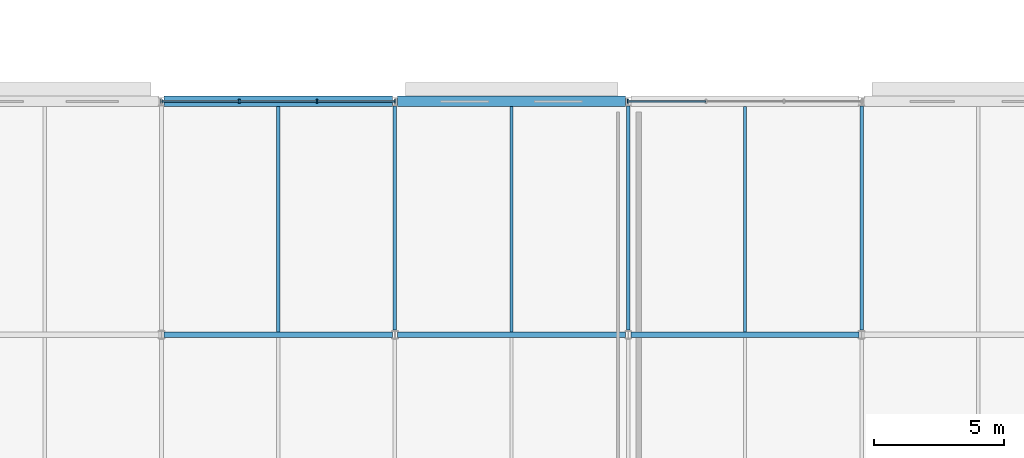
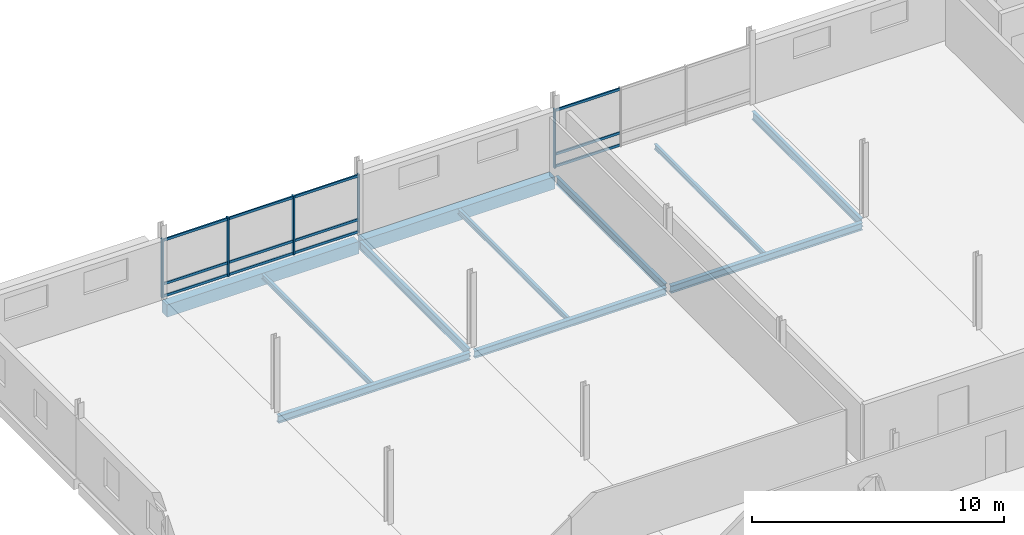
# One storey, part 83 of 132: 17 members, 11 beams, 2 elements without a shape of their own.
"""IFC4 building model written with IfcOpenShell, lengths in metres."""

from ifc_helpers import new_model, si_unit, direction, frame, origin, origin_2d, place, context, subcontext, project, spatial, rectangle, i_section, extrude, material, material_profile, profile_set, type_object, element, aggregate, save


model = new_model("IFC4")

# Units and contexts
model_context = context("Model", 3, precision=1e-05, world=origin(), true_north=direction((0.0, 1.0)))
body_context = subcontext(model_context, "Body", "Model", "MODEL_VIEW")
ifc_project = project(units=[si_unit("LENGTHUNIT", "METRE"), si_unit("AREAUNIT", "SQUARE_METRE"), si_unit("VOLUMEUNIT", "CUBIC_METRE"), si_unit("PLANEANGLEUNIT", "RADIAN"), si_unit("MASSUNIT", "GRAM", prefix="KILO")], contexts=[model_context])

# Site, building, storey
site_placement = place(None, origin())
site = spatial("IfcSite", under=ifc_project, at=site_placement, CompositionType="ELEMENT")
building_placement = place(site_placement, origin())
building = spatial("IfcBuilding", under=site, at=building_placement, Name="Tharagai Park Tramway Depot", CompositionType="ELEMENT")
storey_placement = place(building_placement, frame((0.0, 0.0, 4.800048828125)))
storey = spatial("IfcBuildingStorey", under=building, at=storey_placement, Name="L01", CompositionType="ELEMENT", Elevation=4.800048828125)

# Beams
ifc_material_1 = material(Name="Steel E350", Category="steel")
ifc_material_profile_1 = material_profile(ifc_material_1, i_section(OverallWidth=0.139892578125, OverallDepth=0.39990234375, WebThickness=0.0087890625, FlangeThickness=0.01611328125, FilletRadius=0.013916015625, at=origin_2d()), Name="ISMB 400")
ifc_profile_set_1 = profile_set([ifc_material_profile_1], Name="Steel E350")
beam_type_1 = type_object("IfcBeamType", Name="BM-06", PredefinedType="BEAM", material=ifc_profile_set_1)
for number, where, z_axis, x_axis, name in (
    (1, (180.0, 126.175048828125, -0.47998046875), (0.0, 1.0, 0.0), (-1.0, 0.0, 0.0), "L01 Grid Beam BM-06"),
    (2, (189.0, 126.175048828125, -0.47998046875), (0.0, 1.0, 0.0), (-1.0, 0.0, 0.0), "L01 Grid Beam BM-06"),
    (3, (198.0, 126.175048828125, -0.47998046875), (0.0, 1.0, 0.0), (-1.0, 0.0, 0.0), "L01 Grid Beam BM-06"),
):
    element("IfcBeam", number, at=place(storey_placement, frame(where, z_axis=z_axis, x_axis=x_axis)), inside=storey, type_object=beam_type_1, Name=name, PredefinedType="BEAM", context=body_context, shape_type="SweptSolid", body=[
        extrude(i_section(OverallWidth=0.139892578125, OverallDepth=0.39990234375, WebThickness=0.0087890625, FlangeThickness=0.01611328125, FilletRadius=0.013916015625, at=origin_2d()), origin(), (0.0, 0.0, 1.0), 8.64990234375),
    ])
ifc_material_profile_2 = material_profile(ifc_material_1, i_section(OverallWidth=0.199951171875, OverallDepth=0.35009765625, WebThickness=0.008056640625, FlangeThickness=0.011474609375, FilletRadius=0.011962890625, at=origin_2d()), Name="ISWB 350")
ifc_profile_set_2 = profile_set([ifc_material_profile_2], Name="Steel E350")
beam_type_2 = type_object("IfcBeamType", Name="BM-15", PredefinedType="BEAM", material=ifc_profile_set_2)
for number, where, z_axis, x_axis, name in (
    (4, (171.10009765625, 126.0, -0.455078125), (1.0, 0.0, 0.0), (0.0, 1.0, 0.0), "L01 Grid Beam BM-15"),
    (5, (180.10009765625, 126.0, -0.455078125), (1.0, 0.0, 0.0), (0.0, 1.0, 0.0), "L01 Grid Beam BM-15"),
    (6, (189.10009765625, 126.0, -0.455078125), (1.0, 0.0, 0.0), (0.0, 1.0, 0.0), "L01 Grid Beam BM-15"),
):
    element("IfcBeam", number, at=place(storey_placement, frame(where, z_axis=z_axis, x_axis=x_axis)), inside=storey, type_object=beam_type_2, Name=name, PredefinedType="BEAM", context=body_context, shape_type="SweptSolid", body=[
        extrude(i_section(OverallWidth=0.199951171875, OverallDepth=0.35009765625, WebThickness=0.008056640625, FlangeThickness=0.011474609375, FilletRadius=0.011962890625, at=origin_2d()), origin(), (0.0, 0.0, 1.0), 8.7998046875),
    ])

# Curtain wall, members
ifc_material_2 = material(Name="Anodised aluminium", Category="aluminium")
curtain_wall_type = type_object("IfcCurtainWallType", Name="CW-01", PredefinedType="NOTDEFINED", material=ifc_material_2)
curtain_wall_1_placement = place(storey_placement, origin())
curtain_wall_1 = element("IfcCurtainWall", 7, at=curtain_wall_1_placement, inside=storey, type_object=curtain_wall_type, Name="L01 V3 Gothic Mullioned Curtain Wall CW-01", PredefinedType="NOTDEFINED")
ifc_material_profile_3 = material_profile(ifc_material_2, rectangle(XDim=0.06494140625, YDim=0.1201171875, at=origin_2d()), Name="ALU 65x120")
ifc_profile_set_3 = profile_set([ifc_material_profile_3], Name="Anodised aluminium")
member_type_1 = type_object("IfcMemberType", Name="CM-01", PredefinedType="USERDEFINED", material=ifc_profile_set_3)
member_1_placement = place(storey_placement, frame((171.010986328125, 135.0, 0.06005859375), z_axis=(1.0, 0.0, 0.0), x_axis=(0.0, 1.0, 0.0)))
member_1 = element("IfcMember", 8, at=member_1_placement, type_object=member_type_1, Name="L01 V3 Gothic Mullioned Curtain Wall Transom 1.1", ObjectType="TRANSOM", PredefinedType="USERDEFINED", context=body_context, shape_type="SweptSolid", body=[
    extrude(rectangle(XDim=0.06494140625, YDim=0.1201171875, at=origin_2d()), origin(), (0.0, 0.0, 1.0), 2.97265625),
])
member_2_placement = place(storey_placement, frame((171.010986328125, 135.0, 0.64990234375), z_axis=(1.0, 0.0, 0.0), x_axis=(0.0, 1.0, 0.0)))
member_2 = element("IfcMember", 9, at=member_2_placement, type_object=member_type_1, Name="L01 V3 Gothic Mullioned Curtain Wall Transom 1.2", ObjectType="TRANSOM", PredefinedType="USERDEFINED", context=body_context, shape_type="SweptSolid", body=[
    extrude(rectangle(XDim=0.06494140625, YDim=0.1201171875, at=origin_2d()), origin(), (0.0, 0.0, 1.0), 2.97265625),
])
member_3_placement = place(storey_placement, frame((171.010986328125, 135.0, 2.77001953125), z_axis=(1.0, 0.0, 0.0), x_axis=(0.0, 1.0, 0.0)))
member_3 = element("IfcMember", 10, at=member_3_placement, type_object=member_type_1, Name="L01 V3 Gothic Mullioned Curtain Wall Transom 1.3", ObjectType="TRANSOM", PredefinedType="USERDEFINED", context=body_context, shape_type="SweptSolid", body=[
    extrude(rectangle(XDim=0.06494140625, YDim=0.1201171875, at=origin_2d()), origin(), (0.0, 0.0, 1.0), 2.97265625),
])
member_4_placement = place(storey_placement, frame((174.013671875, 135.0, 0.06005859375), z_axis=(1.0, 0.0, 0.0), x_axis=(0.0, 1.0, 0.0)))
member_4 = element("IfcMember", 11, at=member_4_placement, type_object=member_type_1, Name="L01 V3 Gothic Mullioned Curtain Wall Transom 2.1", ObjectType="TRANSOM", PredefinedType="USERDEFINED", context=body_context, shape_type="SweptSolid", body=[
    extrude(rectangle(XDim=0.06494140625, YDim=0.1201171875, at=origin_2d()), origin(), (0.0, 0.0, 1.0), 2.97265625),
])
member_5_placement = place(storey_placement, frame((174.013671875, 135.0, 0.64990234375), z_axis=(1.0, 0.0, 0.0), x_axis=(0.0, 1.0, 0.0)))
member_5 = element("IfcMember", 12, at=member_5_placement, type_object=member_type_1, Name="L01 V3 Gothic Mullioned Curtain Wall Transom 2.2", ObjectType="TRANSOM", PredefinedType="USERDEFINED", context=body_context, shape_type="SweptSolid", body=[
    extrude(rectangle(XDim=0.06494140625, YDim=0.1201171875, at=origin_2d()), origin(), (0.0, 0.0, 1.0), 2.97265625),
])
member_6_placement = place(storey_placement, frame((174.013671875, 135.0, 2.77001953125), z_axis=(1.0, 0.0, 0.0), x_axis=(0.0, 1.0, 0.0)))
member_6 = element("IfcMember", 13, at=member_6_placement, type_object=member_type_1, Name="L01 V3 Gothic Mullioned Curtain Wall Transom 2.3", ObjectType="TRANSOM", PredefinedType="USERDEFINED", context=body_context, shape_type="SweptSolid", body=[
    extrude(rectangle(XDim=0.06494140625, YDim=0.1201171875, at=origin_2d()), origin(), (0.0, 0.0, 1.0), 2.97265625),
])
member_7_placement = place(storey_placement, frame((177.016357421875, 135.0, 0.06005859375), z_axis=(1.0, 0.0, 0.0), x_axis=(0.0, 1.0, 0.0)))
member_7 = element("IfcMember", 14, at=member_7_placement, type_object=member_type_1, Name="L01 V3 Gothic Mullioned Curtain Wall Transom 3.1", ObjectType="TRANSOM", PredefinedType="USERDEFINED", context=body_context, shape_type="SweptSolid", body=[
    extrude(rectangle(XDim=0.06494140625, YDim=0.1201171875, at=origin_2d()), origin(), (0.0, 0.0, 1.0), 2.97265625),
])
member_8_placement = place(storey_placement, frame((177.016357421875, 135.0, 0.64990234375), z_axis=(1.0, 0.0, 0.0), x_axis=(0.0, 1.0, 0.0)))
member_8 = element("IfcMember", 15, at=member_8_placement, type_object=member_type_1, Name="L01 V3 Gothic Mullioned Curtain Wall Transom 3.2", ObjectType="TRANSOM", PredefinedType="USERDEFINED", context=body_context, shape_type="SweptSolid", body=[
    extrude(rectangle(XDim=0.06494140625, YDim=0.1201171875, at=origin_2d()), origin(), (0.0, 0.0, 1.0), 2.97265625),
])
member_9_placement = place(storey_placement, frame((177.016357421875, 135.0, 2.77001953125), z_axis=(1.0, 0.0, 0.0), x_axis=(0.0, 1.0, 0.0)))
member_9 = element("IfcMember", 16, at=member_9_placement, type_object=member_type_1, Name="L01 V3 Gothic Mullioned Curtain Wall Transom 3.3", ObjectType="TRANSOM", PredefinedType="USERDEFINED", context=body_context, shape_type="SweptSolid", body=[
    extrude(rectangle(XDim=0.06494140625, YDim=0.1201171875, at=origin_2d()), origin(), (0.0, 0.0, 1.0), 2.97265625),
])

curtain_wall_2_placement = place(storey_placement, origin())
curtain_wall_2 = element("IfcCurtainWall", 17, at=curtain_wall_2_placement, inside=storey, type_object=curtain_wall_type, Name="L01 V3 Gothic Mullioned Curtain Wall CW-01", PredefinedType="NOTDEFINED")
member_10_placement = place(storey_placement, frame((189.010986328125, 135.0, 0.06005859375), z_axis=(1.0, 0.0, 0.0), x_axis=(0.0, 1.0, 0.0)))
member_10 = element("IfcMember", 18, at=member_10_placement, type_object=member_type_1, Name="L01 V3 Gothic Mullioned Curtain Wall Transom 1.1", ObjectType="TRANSOM", PredefinedType="USERDEFINED", context=body_context, shape_type="SweptSolid", body=[
    extrude(rectangle(XDim=0.06494140625, YDim=0.1201171875, at=origin_2d()), origin(), (0.0, 0.0, 1.0), 2.97265625),
])
member_11_placement = place(storey_placement, frame((189.010986328125, 135.0, 0.64990234375), z_axis=(1.0, 0.0, 0.0), x_axis=(0.0, 1.0, 0.0)))
member_11 = element("IfcMember", 19, at=member_11_placement, type_object=member_type_1, Name="L01 V3 Gothic Mullioned Curtain Wall Transom 1.2", ObjectType="TRANSOM", PredefinedType="USERDEFINED", context=body_context, shape_type="SweptSolid", body=[
    extrude(rectangle(XDim=0.06494140625, YDim=0.1201171875, at=origin_2d()), origin(), (0.0, 0.0, 1.0), 2.97265625),
])
member_12_placement = place(storey_placement, frame((189.010986328125, 135.0, 2.77001953125), z_axis=(1.0, 0.0, 0.0), x_axis=(0.0, 1.0, 0.0)))
member_12 = element("IfcMember", 20, at=member_12_placement, type_object=member_type_1, Name="L01 V3 Gothic Mullioned Curtain Wall Transom 1.3", ObjectType="TRANSOM", PredefinedType="USERDEFINED", context=body_context, shape_type="SweptSolid", body=[
    extrude(rectangle(XDim=0.06494140625, YDim=0.1201171875, at=origin_2d()), origin(), (0.0, 0.0, 1.0), 2.97265625),
])

# Member
ifc_material_profile_4 = material_profile(ifc_material_2, rectangle(XDim=0.06494140625, YDim=0.14990234375, at=origin_2d()), Name="ALU 65x150")
ifc_profile_set_4 = profile_set([ifc_material_profile_4], Name="Anodised aluminium")
member_type_2 = type_object("IfcMemberType", Name="CM-03", PredefinedType="MULLION", material=ifc_profile_set_4)
member_13_placement = place(storey_placement, frame((170.99609375, 135.0, -0.005126953125), z_axis=(0.0, 0.0, 1.0), x_axis=(1.0, 0.0, 0.0)))
member_13 = element("IfcMember", 21, at=member_13_placement, type_object=member_type_2, Name="L01 V3 Gothic Mullioned Curtain Wall Mullion 1", PredefinedType="MULLION", context=body_context, shape_type="SweptSolid", body=[
    extrude(rectangle(XDim=0.06494140625, YDim=0.14990234375, at=origin_2d()), origin(), (0.0, 0.0, 1.0), 2.860107421875),
])

member_14_placement = place(storey_placement, frame((173.998779296875, 135.0, -0.005126953125), z_axis=(0.0, 0.0, 1.0), x_axis=(1.0, 0.0, 0.0)))
member_14 = element("IfcMember", 22, at=member_14_placement, type_object=member_type_2, Name="L01 V3 Gothic Mullioned Curtain Wall Mullion 2", PredefinedType="MULLION", context=body_context, shape_type="SweptSolid", body=[
    extrude(rectangle(XDim=0.06494140625, YDim=0.14990234375, at=origin_2d()), origin(), (0.0, 0.0, 1.0), 2.860107421875),
])

member_15_placement = place(storey_placement, frame((177.001220703125, 135.0, -0.005126953125), z_axis=(0.0, 0.0, 1.0), x_axis=(1.0, 0.0, 0.0)))
member_15 = element("IfcMember", 23, at=member_15_placement, type_object=member_type_2, Name="L01 V3 Gothic Mullioned Curtain Wall Mullion 3", PredefinedType="MULLION", context=body_context, shape_type="SweptSolid", body=[
    extrude(rectangle(XDim=0.06494140625, YDim=0.14990234375, at=origin_2d()), origin(), (0.0, 0.0, 1.0), 2.860107421875),
])

member_16_placement = place(storey_placement, frame((180.00390625, 135.0, -0.005126953125), z_axis=(0.0, 0.0, 1.0), x_axis=(1.0, 0.0, 0.0)))
member_16 = element("IfcMember", 24, at=member_16_placement, type_object=member_type_2, Name="L01 V3 Gothic Mullioned Curtain Wall Mullion 4", PredefinedType="MULLION", context=body_context, shape_type="SweptSolid", body=[
    extrude(rectangle(XDim=0.06494140625, YDim=0.14990234375, at=origin_2d()), origin(), (0.0, 0.0, 1.0), 2.860107421875),
])

aggregate(curtain_wall_1, [member_13, member_14, member_15, member_16, member_1, member_2, member_3, member_4, member_5, member_6, member_7, member_8, member_9])

member_17_placement = place(storey_placement, frame((188.99609375, 135.0, -0.005126953125), z_axis=(0.0, 0.0, 1.0), x_axis=(1.0, 0.0, 0.0)))
member_17 = element("IfcMember", 25, at=member_17_placement, type_object=member_type_2, Name="L01 V3 Gothic Mullioned Curtain Wall Mullion 1", PredefinedType="MULLION", context=body_context, shape_type="SweptSolid", body=[
    extrude(rectangle(XDim=0.06494140625, YDim=0.14990234375, at=origin_2d()), origin(), (0.0, 0.0, 1.0), 2.860107421875),
])

aggregate(curtain_wall_2, [member_17, member_10, member_11, member_12])

# Beams
ifc_material_3 = material(Name="Steel E250", Category="steel")
ifc_material_profile_5 = material_profile(ifc_material_3, i_section(OverallWidth=0.125, OverallDepth=0.25, WebThickness=0.0068359375, FlangeThickness=0.012451171875, FilletRadius=0.012939453125, at=origin_2d()), Name="ISMB 250")
ifc_profile_set_5 = profile_set([ifc_material_profile_5], Name="Steel E250")
beam_type_3 = type_object("IfcBeamType", Name="JT-02", PredefinedType="JOIST", material=ifc_profile_set_5)
for number, where, z_axis, x_axis, name in (
    (26, (175.5, 126.10009765625, -0.405029296875), (0.0, 1.0, 0.0), (-1.0, 0.0, 0.0), "L01 Secondary Joist JT-02"),
    (27, (184.5, 126.10009765625, -0.405029296875), (0.0, 1.0, 0.0), (-1.0, 0.0, 0.0), "L01 Secondary Joist JT-02"),
    (28, (193.5, 126.10009765625, -0.405029296875), (0.0, 1.0, 0.0), (-1.0, 0.0, 0.0), "L01 Secondary Joist JT-02"),
):
    element("IfcBeam", number, at=place(storey_placement, frame(where, z_axis=z_axis, x_axis=x_axis)), inside=storey, type_object=beam_type_3, Name=name, PredefinedType="JOIST", context=body_context, shape_type="SweptSolid", body=[
        extrude(i_section(OverallWidth=0.125, OverallDepth=0.25, WebThickness=0.0068359375, FlangeThickness=0.012451171875, FilletRadius=0.012939453125, at=origin_2d()), origin(), (0.0, 0.0, 1.0), 8.699951171875),
    ])
ifc_material_4 = material(Name="Concrete M35", Category="concrete")
ifc_material_profile_6 = material_profile(ifc_material_4, rectangle(XDim=0.39990234375, YDim=0.60009765625, at=origin_2d()), Name="RC 400x600")
ifc_profile_set_6 = profile_set([ifc_material_profile_6], Name="Concrete M35")
beam_type_4 = type_object("IfcBeamType", Name="SP-02", PredefinedType="SPANDREL", material=ifc_profile_set_6)
for number, where, z_axis, x_axis, name in (
    (29, (171.10009765625, 135.0, -0.580078125), (1.0, 0.0, 0.0), (0.0, 1.0, 0.0), "L01 Grid Beam SP-02"),
    (30, (180.10009765625, 135.0, -0.580078125), (1.0, 0.0, 0.0), (0.0, 1.0, 0.0), "L01 Grid Beam SP-02"),
):
    element("IfcBeam", number, at=place(storey_placement, frame(where, z_axis=z_axis, x_axis=x_axis)), inside=storey, type_object=beam_type_4, Name=name, PredefinedType="SPANDREL", context=body_context, shape_type="SweptSolid", body=[
        extrude(rectangle(XDim=0.39990234375, YDim=0.60009765625, at=origin_2d()), origin(), (0.0, 0.0, 1.0), 8.7998046875),
    ])

save(model, "model.ifc")
